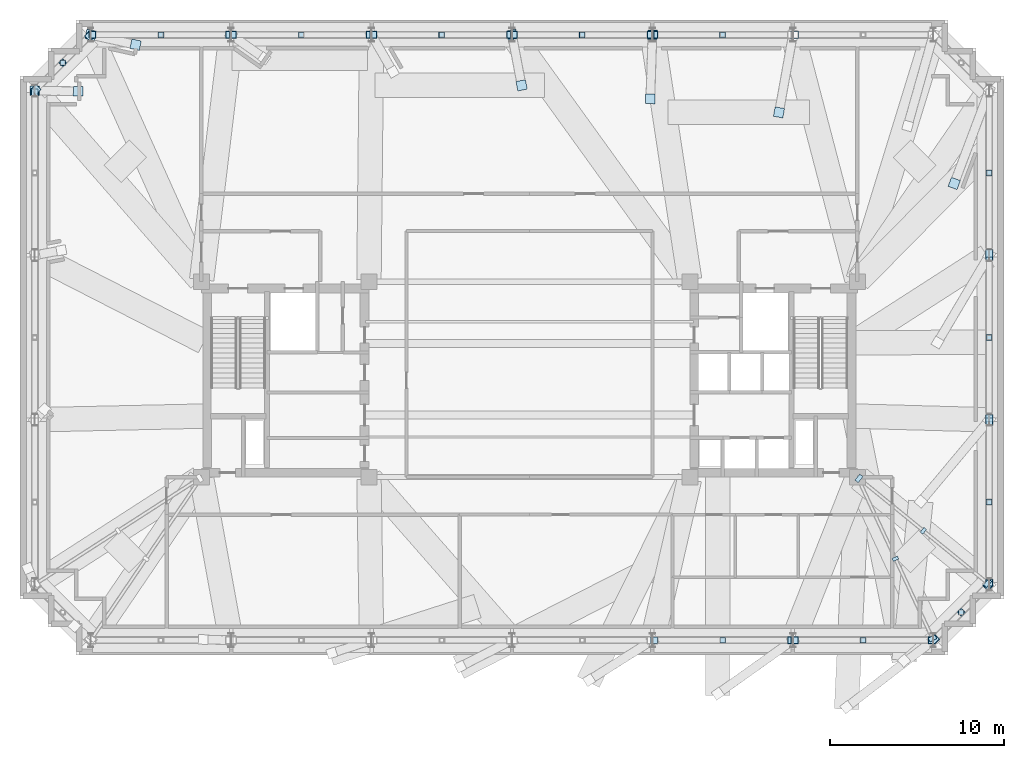
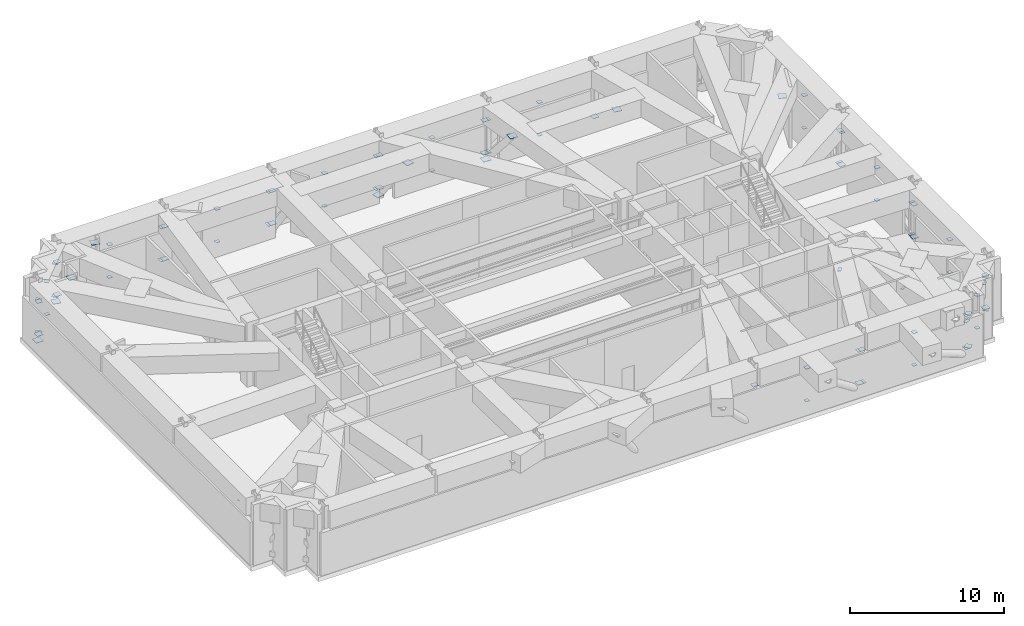
# One storey, part 12 of 18: 85 plates.
"""IFC4 building model written with IfcOpenShell, lengths in metres."""

from ifc_helpers import new_model, si_unit, direction, frame, origin, origin_2d, place, context, subcontext, project, spatial, rectangle, extrude, material, layer, layer_set, type_object, element, save


model = new_model("IFC4")

# Units and contexts
model_context = context("Model", 3, precision=1e-05, world=origin(), true_north=direction((0.0, 1.0)))
body_context = subcontext(model_context, "Body", "Model", "MODEL_VIEW")
ifc_project = project(units=[si_unit("LENGTHUNIT", "METRE"), si_unit("AREAUNIT", "SQUARE_METRE"), si_unit("VOLUMEUNIT", "CUBIC_METRE"), si_unit("PLANEANGLEUNIT", "RADIAN"), si_unit("MASSUNIT", "GRAM", prefix="KILO")], contexts=[model_context])

# Site, building, storey
site_placement = place(None, origin())
site = spatial("IfcSite", under=ifc_project, at=site_placement, CompositionType="ELEMENT")
building_placement = place(site_placement, origin())
building = spatial("IfcBuilding", under=site, at=building_placement, Name="Qobustan Lattice House", CompositionType="ELEMENT")
storey_placement = place(building_placement, frame((0.0, 0.0, 174.550048828125)))
storey = spatial("IfcBuildingStorey", under=building, at=storey_placement, Name="L49", CompositionType="ELEMENT", Elevation=174.550048828125)

# Plates
ifc_material = material(Name="Steel S355", Category="steel")
ifc_layer = layer(ifc_material, 0.030029296875)
ifc_layer_set = layer_set([ifc_layer], Name="Steel S355")
plate_type = type_object("IfcPlateType", Name="PLT-CAP-25", PredefinedType="SHEET", material=ifc_layer_set)
plate_1_placement = place(storey_placement, frame((15.0048828125, -14.949951171875, 0.53515625), z_axis=(0.0, 0.0, 1.0), x_axis=(1.0, 0.0, 0.0)))
element("IfcPlate", 1, at=plate_1_placement, inside=storey, type_object=plate_type, Name="L49 TT3 belt truss bottom chord S5-S6 end cap plate 2", PredefinedType="SHEET", context=body_context, shape_type="SweptSolid", body=[
    extrude(rectangle(XDim=0.43994140625, YDim=0.43994140625, at=origin_2d()), origin(), (0.0, 0.0, 1.0), 0.030029296875),
])
for number, where, z_axis, x_axis, name in (
    (2, (7.14501953125, -14.949951171875, 3.125), (0.0, 0.0, 1.0), (1.0, 0.0, 0.0), "L49 TT3 belt truss top chord S5-S6 end cap plate 1"),
    (3, (15.0048828125, -14.949951171875, 3.125), (0.0, 0.0, 1.0), (1.0, 0.0, 0.0), "L49 TT3 belt truss top chord S5-S6 end cap plate 2"),
):
    element("IfcPlate", number, at=place(storey_placement, frame(where, z_axis=z_axis, x_axis=x_axis)), inside=storey, type_object=plate_type, Name=name, PredefinedType="SHEET", context=body_context, shape_type="SweptSolid", body=[
        extrude(rectangle(XDim=0.389892578125, YDim=0.389892578125, at=origin_2d()), origin(), (0.0, 0.0, 1.0), 0.030029296875),
    ])
plate_2_placement = place(storey_placement, frame((11.0791015625, -14.949951171875, 3.1279296875), z_axis=(0.0, 0.0, 1.0), x_axis=(1.0, 0.0, 0.0)))
element("IfcPlate", 4, at=plate_2_placement, inside=storey, type_object=plate_type, Name="L49 TT3 belt truss web diagonal S5-S6 A end cap plate 2", PredefinedType="SHEET", context=body_context, shape_type="SweptSolid", body=[
    extrude(rectangle(XDim=0.340087890625, YDim=0.340087890625, at=origin_2d()), origin(), (0.0, 0.0, 1.0), 0.030029296875),
])
plate_3_placement = place(storey_placement, frame((11.074951171875, -14.949951171875, 0.52978515625), z_axis=(0.0, 0.0, 1.0), x_axis=(1.0, 0.0, 0.0)))
element("IfcPlate", 5, at=plate_3_placement, inside=storey, type_object=plate_type, Name="L49 TT3 belt truss vertical post S5-S6 end cap plate 1", PredefinedType="SHEET", context=body_context, shape_type="SweptSolid", body=[
    extrude(rectangle(XDim=0.2900390625, YDim=0.2900390625, at=origin_2d()), origin(), (0.0, 0.0, 1.0), 0.030029296875),
])
for number, where, z_axis, x_axis, name in (
    (6, (15.195068359375, -14.949951171875, 0.53515625), (0.0, 0.0, 1.0), (1.0, 0.0, 0.0), "L49 TT3 belt truss bottom chord S6-S7 end cap plate 1"),
    (7, (23.054931640625, -14.949951171875, 0.53515625), (0.0, 0.0, 1.0), (1.0, 0.0, 0.0), "L49 TT3 belt truss bottom chord S6-S7 end cap plate 2"),
):
    element("IfcPlate", number, at=place(storey_placement, frame(where, z_axis=z_axis, x_axis=x_axis)), inside=storey, type_object=plate_type, Name=name, PredefinedType="SHEET", context=body_context, shape_type="SweptSolid", body=[
        extrude(rectangle(XDim=0.43994140625, YDim=0.43994140625, at=origin_2d()), origin(), (0.0, 0.0, 1.0), 0.030029296875),
    ])
for number, where, z_axis, x_axis, name in (
    (8, (15.195068359375, -14.949951171875, 3.125), (0.0, 0.0, 1.0), (1.0, 0.0, 0.0), "L49 TT3 belt truss top chord S6-S7 end cap plate 1"),
    (9, (23.054931640625, -14.949951171875, 3.125), (0.0, 0.0, 1.0), (1.0, 0.0, 0.0), "L49 TT3 belt truss top chord S6-S7 end cap plate 2"),
):
    element("IfcPlate", number, at=place(storey_placement, frame(where, z_axis=z_axis, x_axis=x_axis)), inside=storey, type_object=plate_type, Name=name, PredefinedType="SHEET", context=body_context, shape_type="SweptSolid", body=[
        extrude(rectangle(XDim=0.389892578125, YDim=0.389892578125, at=origin_2d()), origin(), (0.0, 0.0, 1.0), 0.030029296875),
    ])
plate_4_placement = place(storey_placement, frame((19.129150390625, -14.949951171875, 3.1279296875), z_axis=(0.0, 0.0, 1.0), x_axis=(1.0, 0.0, 0.0)))
element("IfcPlate", 10, at=plate_4_placement, inside=storey, type_object=plate_type, Name="L49 TT3 belt truss web diagonal S6-S7 A end cap plate 2", PredefinedType="SHEET", context=body_context, shape_type="SweptSolid", body=[
    extrude(rectangle(XDim=0.340087890625, YDim=0.340087890625, at=origin_2d()), origin(), (0.0, 0.0, 1.0), 0.030029296875),
])
plate_5_placement = place(storey_placement, frame((19.125, -14.949951171875, 0.52978515625), z_axis=(0.0, 0.0, 1.0), x_axis=(1.0, 0.0, 0.0)))
element("IfcPlate", 11, at=plate_5_placement, inside=storey, type_object=plate_type, Name="L49 TT3 belt truss vertical post S6-S7 end cap plate 1", PredefinedType="SHEET", context=body_context, shape_type="SweptSolid", body=[
    extrude(rectangle(XDim=0.2900390625, YDim=0.2900390625, at=origin_2d()), origin(), (0.0, 0.0, 1.0), 0.030029296875),
])
for number, where, z_axis, x_axis, name in (
    (12, (23.21728515625, -14.8828125, 0.53515625), (0.0, 0.0, 1.0), (0.707106781187, 0.707106781187, 0.0), "L49 TT3 belt truss bottom chord S7-E1 end cap plate 1"),
    (13, (26.28271484375, -11.817138671875, 0.53515625), (0.0, 0.0, 1.0), (0.707106781187, 0.707106781187, 0.0), "L49 TT3 belt truss bottom chord S7-E1 end cap plate 2"),
):
    element("IfcPlate", number, at=place(storey_placement, frame(where, z_axis=z_axis, x_axis=x_axis)), inside=storey, type_object=plate_type, Name=name, PredefinedType="SHEET", context=body_context, shape_type="SweptSolid", body=[
        extrude(rectangle(XDim=0.43994140625, YDim=0.43994140625, at=origin_2d()), origin(), (0.0, 0.0, 1.0), 0.030029296875),
    ])
for number, where, z_axis, x_axis, name in (
    (14, (23.21728515625, -14.8828125, 3.125), (0.0, 0.0, 1.0), (0.707106781187, 0.707106781187, 0.0), "L49 TT3 belt truss top chord S7-E1 end cap plate 1"),
    (15, (26.28271484375, -11.817138671875, 3.125), (0.0, 0.0, 1.0), (0.707106781187, 0.707106781187, 0.0), "L49 TT3 belt truss top chord S7-E1 end cap plate 2"),
):
    element("IfcPlate", number, at=place(storey_placement, frame(where, z_axis=z_axis, x_axis=x_axis)), inside=storey, type_object=plate_type, Name=name, PredefinedType="SHEET", context=body_context, shape_type="SweptSolid", body=[
        extrude(rectangle(XDim=0.389892578125, YDim=0.389892578125, at=origin_2d()), origin(), (0.0, 0.0, 1.0), 0.030029296875),
    ])
plate_6_placement = place(storey_placement, frame((24.752197265625, -13.34765625, 3.12890625), z_axis=(0.0, 0.0, 1.0), x_axis=(0.707106781187, 0.707106781187, 0.0)))
element("IfcPlate", 16, at=plate_6_placement, inside=storey, type_object=plate_type, Name="L49 TT3 belt truss web diagonal S7-E1 A end cap plate 2", PredefinedType="SHEET", context=body_context, shape_type="SweptSolid", body=[
    extrude(rectangle(XDim=0.340087890625, YDim=0.340087890625, at=origin_2d()), origin(), (0.0, 0.0, 1.0), 0.030029296875),
])
plate_7_placement = place(storey_placement, frame((24.75, -13.35009765625, 0.52978515625), z_axis=(0.0, 0.0, 1.0), x_axis=(1.0, 0.0, 0.0)))
element("IfcPlate", 17, at=plate_7_placement, inside=storey, type_object=plate_type, Name="L49 TT3 belt truss vertical post S7-E1 end cap plate 1", PredefinedType="SHEET", context=body_context, shape_type="SweptSolid", body=[
    extrude(rectangle(XDim=0.2900390625, YDim=0.2900390625, at=origin_2d()), origin(), (0.0, 0.0, 1.0), 0.030029296875),
])
for number, where, z_axis, x_axis, name in (
    (18, (26.35009765625, -11.655029296875, 0.53515625), (0.0, 0.0, 1.0), (0.0, 1.0, 0.0), "L49 TT3 belt truss bottom chord E1-E2 end cap plate 1"),
    (19, (26.35009765625, -2.41162109375, 0.53515625), (0.0, 0.0, 1.0), (0.0, 1.0, 0.0), "L49 TT3 belt truss bottom chord E1-E2 end cap plate 2"),
):
    element("IfcPlate", number, at=place(storey_placement, frame(where, z_axis=z_axis, x_axis=x_axis)), inside=storey, type_object=plate_type, Name=name, PredefinedType="SHEET", context=body_context, shape_type="SweptSolid", body=[
        extrude(rectangle(XDim=0.43994140625, YDim=0.43994140625, at=origin_2d()), origin(), (0.0, 0.0, 1.0), 0.030029296875),
    ])
for number, where, z_axis, x_axis, name in (
    (20, (26.35009765625, -11.655029296875, 3.125), (0.0, 0.0, 1.0), (0.0, 1.0, 0.0), "L49 TT3 belt truss top chord E1-E2 end cap plate 1"),
    (21, (26.35009765625, -2.41162109375, 3.125), (0.0, 0.0, 1.0), (0.0, 1.0, 0.0), "L49 TT3 belt truss top chord E1-E2 end cap plate 2"),
):
    element("IfcPlate", number, at=place(storey_placement, frame(where, z_axis=z_axis, x_axis=x_axis)), inside=storey, type_object=plate_type, Name=name, PredefinedType="SHEET", context=body_context, shape_type="SweptSolid", body=[
        extrude(rectangle(XDim=0.389892578125, YDim=0.389892578125, at=origin_2d()), origin(), (0.0, 0.0, 1.0), 0.030029296875),
    ])
plate_8_placement = place(storey_placement, frame((26.35009765625, -7.029052734375, 3.12744140625), z_axis=(0.0, 0.0, 1.0), x_axis=(0.0, 1.0, 0.0)))
element("IfcPlate", 22, at=plate_8_placement, inside=storey, type_object=plate_type, Name="L49 TT3 belt truss web diagonal E1-E2 A end cap plate 2", PredefinedType="SHEET", context=body_context, shape_type="SweptSolid", body=[
    extrude(rectangle(XDim=0.340087890625, YDim=0.340087890625, at=origin_2d()), origin(), (0.0, 0.0, 1.0), 0.030029296875),
])
plate_9_placement = place(storey_placement, frame((26.35009765625, -7.033447265625, 0.52978515625), z_axis=(0.0, 0.0, 1.0), x_axis=(1.0, 0.0, 0.0)))
element("IfcPlate", 23, at=plate_9_placement, inside=storey, type_object=plate_type, Name="L49 TT3 belt truss vertical post E1-E2 end cap plate 1", PredefinedType="SHEET", context=body_context, shape_type="SweptSolid", body=[
    extrude(rectangle(XDim=0.2900390625, YDim=0.2900390625, at=origin_2d()), origin(), (0.0, 0.0, 1.0), 0.030029296875),
])
for number, where, z_axis, x_axis, name in (
    (24, (26.35009765625, -2.2216796875, 0.53515625), (0.0, 0.0, 1.0), (0.0, 1.0, 0.0), "L49 TT3 belt truss bottom chord E2-E3 end cap plate 1"),
    (25, (26.35009765625, 7.021728515625, 0.53515625), (0.0, 0.0, 1.0), (0.0, 1.0, 0.0), "L49 TT3 belt truss bottom chord E2-E3 end cap plate 2"),
):
    element("IfcPlate", number, at=place(storey_placement, frame(where, z_axis=z_axis, x_axis=x_axis)), inside=storey, type_object=plate_type, Name=name, PredefinedType="SHEET", context=body_context, shape_type="SweptSolid", body=[
        extrude(rectangle(XDim=0.43994140625, YDim=0.43994140625, at=origin_2d()), origin(), (0.0, 0.0, 1.0), 0.030029296875),
    ])
for number, where, z_axis, x_axis, name in (
    (26, (26.35009765625, -2.2216796875, 3.125), (0.0, 0.0, 1.0), (0.0, 1.0, 0.0), "L49 TT3 belt truss top chord E2-E3 end cap plate 1"),
    (27, (26.35009765625, 7.021728515625, 3.125), (0.0, 0.0, 1.0), (0.0, 1.0, 0.0), "L49 TT3 belt truss top chord E2-E3 end cap plate 2"),
):
    element("IfcPlate", number, at=place(storey_placement, frame(where, z_axis=z_axis, x_axis=x_axis)), inside=storey, type_object=plate_type, Name=name, PredefinedType="SHEET", context=body_context, shape_type="SweptSolid", body=[
        extrude(rectangle(XDim=0.389892578125, YDim=0.389892578125, at=origin_2d()), origin(), (0.0, 0.0, 1.0), 0.030029296875),
    ])
plate_10_placement = place(storey_placement, frame((26.35009765625, 2.404296875, 3.12744140625), z_axis=(0.0, 0.0, 1.0), x_axis=(0.0, 1.0, 0.0)))
element("IfcPlate", 28, at=plate_10_placement, inside=storey, type_object=plate_type, Name="L49 TT3 belt truss web diagonal E2-E3 A end cap plate 2", PredefinedType="SHEET", context=body_context, shape_type="SweptSolid", body=[
    extrude(rectangle(XDim=0.340087890625, YDim=0.340087890625, at=origin_2d()), origin(), (0.0, 0.0, 1.0), 0.030029296875),
])
plate_11_placement = place(storey_placement, frame((26.35009765625, 2.39990234375, 0.52978515625), z_axis=(0.0, 0.0, 1.0), x_axis=(1.0, 0.0, 0.0)))
element("IfcPlate", 29, at=plate_11_placement, inside=storey, type_object=plate_type, Name="L49 TT3 belt truss vertical post E2-E3 end cap plate 1", PredefinedType="SHEET", context=body_context, shape_type="SweptSolid", body=[
    extrude(rectangle(XDim=0.2900390625, YDim=0.2900390625, at=origin_2d()), origin(), (0.0, 0.0, 1.0), 0.030029296875),
])
plate_12_placement = place(storey_placement, frame((26.35009765625, 7.211669921875, 0.53515625), z_axis=(0.0, 0.0, 1.0), x_axis=(0.0, 1.0, 0.0)))
element("IfcPlate", 30, at=plate_12_placement, inside=storey, type_object=plate_type, Name="L49 TT3 belt truss bottom chord E3-E4 end cap plate 1", PredefinedType="SHEET", context=body_context, shape_type="SweptSolid", body=[
    extrude(rectangle(XDim=0.43994140625, YDim=0.43994140625, at=origin_2d()), origin(), (0.0, 0.0, 1.0), 0.030029296875),
])
plate_13_placement = place(storey_placement, frame((26.35009765625, 7.211669921875, 3.125), z_axis=(0.0, 0.0, 1.0), x_axis=(0.0, 1.0, 0.0)))
element("IfcPlate", 31, at=plate_13_placement, inside=storey, type_object=plate_type, Name="L49 TT3 belt truss top chord E3-E4 end cap plate 1", PredefinedType="SHEET", context=body_context, shape_type="SweptSolid", body=[
    extrude(rectangle(XDim=0.389892578125, YDim=0.389892578125, at=origin_2d()), origin(), (0.0, 0.0, 1.0), 0.030029296875),
])
plate_14_placement = place(storey_placement, frame((26.35009765625, 11.837646484375, 3.12744140625), z_axis=(0.0, 0.0, 1.0), x_axis=(0.0, 1.0, 0.0)))
element("IfcPlate", 32, at=plate_14_placement, inside=storey, type_object=plate_type, Name="L49 TT3 belt truss web diagonal E3-E4 A end cap plate 2", PredefinedType="SHEET", context=body_context, shape_type="SweptSolid", body=[
    extrude(rectangle(XDim=0.340087890625, YDim=0.340087890625, at=origin_2d()), origin(), (0.0, 0.0, 1.0), 0.030029296875),
])
plate_15_placement = place(storey_placement, frame((26.35009765625, 11.833251953125, 0.52978515625), z_axis=(0.0, 0.0, 1.0), x_axis=(1.0, 0.0, 0.0)))
element("IfcPlate", 33, at=plate_15_placement, inside=storey, type_object=plate_type, Name="L49 TT3 belt truss vertical post E3-E4 end cap plate 1", PredefinedType="SHEET", context=body_context, shape_type="SweptSolid", body=[
    extrude(rectangle(XDim=0.2900390625, YDim=0.2900390625, at=origin_2d()), origin(), (0.0, 0.0, 1.0), 0.030029296875),
])
for number, where, z_axis, x_axis, name in (
    (34, (15.195068359375, 19.75, 0.53515625), (0.0, 0.0, 1.0), (-1.0, 0.0, 0.0), "L49 TT3 belt truss bottom chord N1-N2 end cap plate 2"),
    (35, (7.14501953125, 19.75, 0.53515625), (0.0, 0.0, 1.0), (-1.0, 0.0, 0.0), "L49 TT3 belt truss bottom chord N2-N3 end cap plate 2"),
):
    element("IfcPlate", number, at=place(storey_placement, frame(where, z_axis=z_axis, x_axis=x_axis)), inside=storey, type_object=plate_type, Name=name, PredefinedType="SHEET", context=body_context, shape_type="SweptSolid", body=[
        extrude(rectangle(XDim=0.43994140625, YDim=0.43994140625, at=origin_2d()), origin(), (0.0, 0.0, 1.0), 0.030029296875),
    ])
plate_16_placement = place(storey_placement, frame((7.14501953125, 19.75, 3.125), z_axis=(0.0, 0.0, 1.0), x_axis=(-1.0, 0.0, 0.0)))
element("IfcPlate", 36, at=plate_16_placement, inside=storey, type_object=plate_type, Name="L49 TT3 belt truss top chord N2-N3 end cap plate 2", PredefinedType="SHEET", context=body_context, shape_type="SweptSolid", body=[
    extrude(rectangle(XDim=0.389892578125, YDim=0.389892578125, at=origin_2d()), origin(), (0.0, 0.0, 1.0), 0.030029296875),
])
plate_17_placement = place(storey_placement, frame((11.07080078125, 19.75, 3.1279296875), z_axis=(0.0, 0.0, 1.0), x_axis=(-1.0, 0.0, 0.0)))
element("IfcPlate", 37, at=plate_17_placement, inside=storey, type_object=plate_type, Name="L49 TT3 belt truss web diagonal N2-N3 A end cap plate 2", PredefinedType="SHEET", context=body_context, shape_type="SweptSolid", body=[
    extrude(rectangle(XDim=0.340087890625, YDim=0.340087890625, at=origin_2d()), origin(), (0.0, 0.0, 1.0), 0.030029296875),
])
plate_18_placement = place(storey_placement, frame((11.074951171875, 19.75, 0.52978515625), z_axis=(0.0, 0.0, 1.0), x_axis=(1.0, 0.0, 0.0)))
element("IfcPlate", 38, at=plate_18_placement, inside=storey, type_object=plate_type, Name="L49 TT3 belt truss vertical post N2-N3 end cap plate 1", PredefinedType="SHEET", context=body_context, shape_type="SweptSolid", body=[
    extrude(rectangle(XDim=0.2900390625, YDim=0.2900390625, at=origin_2d()), origin(), (0.0, 0.0, 1.0), 0.030029296875),
])
for number, where, z_axis, x_axis, name in (
    (39, (6.955078125, 19.75, 0.53515625), (0.0, 0.0, 1.0), (-1.0, 0.0, 0.0), "L49 TT3 belt truss bottom chord N3-N4 end cap plate 1"),
    (40, (-0.905029296875, 19.75, 0.53515625), (0.0, 0.0, 1.0), (-1.0, 0.0, 0.0), "L49 TT3 belt truss bottom chord N3-N4 end cap plate 2"),
):
    element("IfcPlate", number, at=place(storey_placement, frame(where, z_axis=z_axis, x_axis=x_axis)), inside=storey, type_object=plate_type, Name=name, PredefinedType="SHEET", context=body_context, shape_type="SweptSolid", body=[
        extrude(rectangle(XDim=0.43994140625, YDim=0.43994140625, at=origin_2d()), origin(), (0.0, 0.0, 1.0), 0.030029296875),
    ])
for number, where, z_axis, x_axis, name in (
    (41, (6.955078125, 19.75, 3.125), (0.0, 0.0, 1.0), (-1.0, 0.0, 0.0), "L49 TT3 belt truss top chord N3-N4 end cap plate 1"),
    (42, (-0.905029296875, 19.75, 3.125), (0.0, 0.0, 1.0), (-1.0, 0.0, 0.0), "L49 TT3 belt truss top chord N3-N4 end cap plate 2"),
):
    element("IfcPlate", number, at=place(storey_placement, frame(where, z_axis=z_axis, x_axis=x_axis)), inside=storey, type_object=plate_type, Name=name, PredefinedType="SHEET", context=body_context, shape_type="SweptSolid", body=[
        extrude(rectangle(XDim=0.389892578125, YDim=0.389892578125, at=origin_2d()), origin(), (0.0, 0.0, 1.0), 0.030029296875),
    ])
plate_19_placement = place(storey_placement, frame((3.020751953125, 19.75, 3.1279296875), z_axis=(0.0, 0.0, 1.0), x_axis=(-1.0, 0.0, 0.0)))
element("IfcPlate", 43, at=plate_19_placement, inside=storey, type_object=plate_type, Name="L49 TT3 belt truss web diagonal N3-N4 A end cap plate 2", PredefinedType="SHEET", context=body_context, shape_type="SweptSolid", body=[
    extrude(rectangle(XDim=0.340087890625, YDim=0.340087890625, at=origin_2d()), origin(), (0.0, 0.0, 1.0), 0.030029296875),
])
plate_20_placement = place(storey_placement, frame((3.02490234375, 19.75, 0.52978515625), z_axis=(0.0, 0.0, 1.0), x_axis=(1.0, 0.0, 0.0)))
element("IfcPlate", 44, at=plate_20_placement, inside=storey, type_object=plate_type, Name="L49 TT3 belt truss vertical post N3-N4 end cap plate 1", PredefinedType="SHEET", context=body_context, shape_type="SweptSolid", body=[
    extrude(rectangle(XDim=0.2900390625, YDim=0.2900390625, at=origin_2d()), origin(), (0.0, 0.0, 1.0), 0.030029296875),
])
for number, where, z_axis, x_axis, name in (
    (45, (-1.094970703125, 19.75, 0.53515625), (0.0, 0.0, 1.0), (-1.0, 0.0, 0.0), "L49 TT3 belt truss bottom chord N4-N5 end cap plate 1"),
    (46, (-8.955078125, 19.75, 0.53515625), (0.0, 0.0, 1.0), (-1.0, 0.0, 0.0), "L49 TT3 belt truss bottom chord N4-N5 end cap plate 2"),
):
    element("IfcPlate", number, at=place(storey_placement, frame(where, z_axis=z_axis, x_axis=x_axis)), inside=storey, type_object=plate_type, Name=name, PredefinedType="SHEET", context=body_context, shape_type="SweptSolid", body=[
        extrude(rectangle(XDim=0.43994140625, YDim=0.43994140625, at=origin_2d()), origin(), (0.0, 0.0, 1.0), 0.030029296875),
    ])
for number, where, z_axis, x_axis, name in (
    (47, (-1.094970703125, 19.75, 3.125), (0.0, 0.0, 1.0), (-1.0, 0.0, 0.0), "L49 TT3 belt truss top chord N4-N5 end cap plate 1"),
    (48, (-8.955078125, 19.75, 3.125), (0.0, 0.0, 1.0), (-1.0, 0.0, 0.0), "L49 TT3 belt truss top chord N4-N5 end cap plate 2"),
):
    element("IfcPlate", number, at=place(storey_placement, frame(where, z_axis=z_axis, x_axis=x_axis)), inside=storey, type_object=plate_type, Name=name, PredefinedType="SHEET", context=body_context, shape_type="SweptSolid", body=[
        extrude(rectangle(XDim=0.389892578125, YDim=0.389892578125, at=origin_2d()), origin(), (0.0, 0.0, 1.0), 0.030029296875),
    ])
plate_21_placement = place(storey_placement, frame((-5.029296875, 19.75, 3.1279296875), z_axis=(0.0, 0.0, 1.0), x_axis=(-1.0, 0.0, 0.0)))
element("IfcPlate", 49, at=plate_21_placement, inside=storey, type_object=plate_type, Name="L49 TT3 belt truss web diagonal N4-N5 A end cap plate 2", PredefinedType="SHEET", context=body_context, shape_type="SweptSolid", body=[
    extrude(rectangle(XDim=0.340087890625, YDim=0.340087890625, at=origin_2d()), origin(), (0.0, 0.0, 1.0), 0.030029296875),
])
plate_22_placement = place(storey_placement, frame((-5.02490234375, 19.75, 0.52978515625), z_axis=(0.0, 0.0, 1.0), x_axis=(1.0, 0.0, 0.0)))
element("IfcPlate", 50, at=plate_22_placement, inside=storey, type_object=plate_type, Name="L49 TT3 belt truss vertical post N4-N5 end cap plate 1", PredefinedType="SHEET", context=body_context, shape_type="SweptSolid", body=[
    extrude(rectangle(XDim=0.2900390625, YDim=0.2900390625, at=origin_2d()), origin(), (0.0, 0.0, 1.0), 0.030029296875),
])
for number, where, z_axis, x_axis, name in (
    (51, (-9.14501953125, 19.75, 0.53515625), (0.0, 0.0, 1.0), (-1.0, 0.0, 0.0), "L49 TT3 belt truss bottom chord N5-N6 end cap plate 1"),
    (52, (-17.0048828125, 19.75, 0.53515625), (0.0, 0.0, 1.0), (-1.0, 0.0, 0.0), "L49 TT3 belt truss bottom chord N5-N6 end cap plate 2"),
):
    element("IfcPlate", number, at=place(storey_placement, frame(where, z_axis=z_axis, x_axis=x_axis)), inside=storey, type_object=plate_type, Name=name, PredefinedType="SHEET", context=body_context, shape_type="SweptSolid", body=[
        extrude(rectangle(XDim=0.43994140625, YDim=0.43994140625, at=origin_2d()), origin(), (0.0, 0.0, 1.0), 0.030029296875),
    ])
for number, where, z_axis, x_axis, name in (
    (53, (-9.14501953125, 19.75, 3.125), (0.0, 0.0, 1.0), (-1.0, 0.0, 0.0), "L49 TT3 belt truss top chord N5-N6 end cap plate 1"),
    (54, (-17.0048828125, 19.75, 3.125), (0.0, 0.0, 1.0), (-1.0, 0.0, 0.0), "L49 TT3 belt truss top chord N5-N6 end cap plate 2"),
):
    element("IfcPlate", number, at=place(storey_placement, frame(where, z_axis=z_axis, x_axis=x_axis)), inside=storey, type_object=plate_type, Name=name, PredefinedType="SHEET", context=body_context, shape_type="SweptSolid", body=[
        extrude(rectangle(XDim=0.389892578125, YDim=0.389892578125, at=origin_2d()), origin(), (0.0, 0.0, 1.0), 0.030029296875),
    ])
plate_23_placement = place(storey_placement, frame((-13.0791015625, 19.75, 3.1279296875), z_axis=(0.0, 0.0, 1.0), x_axis=(-1.0, 0.0, 0.0)))
element("IfcPlate", 55, at=plate_23_placement, inside=storey, type_object=plate_type, Name="L49 TT3 belt truss web diagonal N5-N6 A end cap plate 2", PredefinedType="SHEET", context=body_context, shape_type="SweptSolid", body=[
    extrude(rectangle(XDim=0.340087890625, YDim=0.340087890625, at=origin_2d()), origin(), (0.0, 0.0, 1.0), 0.030029296875),
])
plate_24_placement = place(storey_placement, frame((-13.074951171875, 19.75, 0.52978515625), z_axis=(0.0, 0.0, 1.0), x_axis=(1.0, 0.0, 0.0)))
element("IfcPlate", 56, at=plate_24_placement, inside=storey, type_object=plate_type, Name="L49 TT3 belt truss vertical post N5-N6 end cap plate 1", PredefinedType="SHEET", context=body_context, shape_type="SweptSolid", body=[
    extrude(rectangle(XDim=0.2900390625, YDim=0.2900390625, at=origin_2d()), origin(), (0.0, 0.0, 1.0), 0.030029296875),
])
for number, where, z_axis, x_axis, name in (
    (57, (-17.195068359375, 19.75, 0.53515625), (0.0, 0.0, 1.0), (-1.0, 0.0, 0.0), "L49 TT3 belt truss bottom chord N6-N7 end cap plate 1"),
    (58, (-25.054931640625, 19.75, 0.53515625), (0.0, 0.0, 1.0), (-1.0, 0.0, 0.0), "L49 TT3 belt truss bottom chord N6-N7 end cap plate 2"),
):
    element("IfcPlate", number, at=place(storey_placement, frame(where, z_axis=z_axis, x_axis=x_axis)), inside=storey, type_object=plate_type, Name=name, PredefinedType="SHEET", context=body_context, shape_type="SweptSolid", body=[
        extrude(rectangle(XDim=0.43994140625, YDim=0.43994140625, at=origin_2d()), origin(), (0.0, 0.0, 1.0), 0.030029296875),
    ])
for number, where, z_axis, x_axis, name in (
    (59, (-17.195068359375, 19.75, 3.125), (0.0, 0.0, 1.0), (-1.0, 0.0, 0.0), "L49 TT3 belt truss top chord N6-N7 end cap plate 1"),
    (60, (-25.054931640625, 19.75, 3.125), (0.0, 0.0, 1.0), (-1.0, 0.0, 0.0), "L49 TT3 belt truss top chord N6-N7 end cap plate 2"),
):
    element("IfcPlate", number, at=place(storey_placement, frame(where, z_axis=z_axis, x_axis=x_axis)), inside=storey, type_object=plate_type, Name=name, PredefinedType="SHEET", context=body_context, shape_type="SweptSolid", body=[
        extrude(rectangle(XDim=0.389892578125, YDim=0.389892578125, at=origin_2d()), origin(), (0.0, 0.0, 1.0), 0.030029296875),
    ])
plate_25_placement = place(storey_placement, frame((-21.129150390625, 19.75, 3.1279296875), z_axis=(0.0, 0.0, 1.0), x_axis=(-1.0, 0.0, 0.0)))
element("IfcPlate", 61, at=plate_25_placement, inside=storey, type_object=plate_type, Name="L49 TT3 belt truss web diagonal N6-N7 A end cap plate 2", PredefinedType="SHEET", context=body_context, shape_type="SweptSolid", body=[
    extrude(rectangle(XDim=0.340087890625, YDim=0.340087890625, at=origin_2d()), origin(), (0.0, 0.0, 1.0), 0.030029296875),
])
plate_26_placement = place(storey_placement, frame((-21.125, 19.75, 0.52978515625), z_axis=(0.0, 0.0, 1.0), x_axis=(1.0, 0.0, 0.0)))
element("IfcPlate", 62, at=plate_26_placement, inside=storey, type_object=plate_type, Name="L49 TT3 belt truss vertical post N6-N7 end cap plate 1", PredefinedType="SHEET", context=body_context, shape_type="SweptSolid", body=[
    extrude(rectangle(XDim=0.2900390625, YDim=0.2900390625, at=origin_2d()), origin(), (0.0, 0.0, 1.0), 0.030029296875),
])
for number, where, z_axis, x_axis, name in (
    (63, (-25.21728515625, 19.682861328125, 0.53515625), (0.0, 0.0, 1.0), (-0.707106781187, -0.707106781187, 0.0), "L49 TT3 belt truss bottom chord N7-W1 end cap plate 1"),
    (64, (-28.28271484375, 16.6171875, 0.53515625), (0.0, 0.0, 1.0), (-0.707106781187, -0.707106781187, 0.0), "L49 TT3 belt truss bottom chord N7-W1 end cap plate 2"),
):
    element("IfcPlate", number, at=place(storey_placement, frame(where, z_axis=z_axis, x_axis=x_axis)), inside=storey, type_object=plate_type, Name=name, PredefinedType="SHEET", context=body_context, shape_type="SweptSolid", body=[
        extrude(rectangle(XDim=0.43994140625, YDim=0.43994140625, at=origin_2d()), origin(), (0.0, 0.0, 1.0), 0.030029296875),
    ])
for number, where, z_axis, x_axis, name in (
    (65, (-25.21728515625, 19.682861328125, 3.125), (0.0, 0.0, 1.0), (-0.707106781187, -0.707106781187, 0.0), "L49 TT3 belt truss top chord N7-W1 end cap plate 1"),
    (66, (-28.28271484375, 16.6171875, 3.125), (0.0, 0.0, 1.0), (-0.707106781187, -0.707106781187, 0.0), "L49 TT3 belt truss top chord N7-W1 end cap plate 2"),
):
    element("IfcPlate", number, at=place(storey_placement, frame(where, z_axis=z_axis, x_axis=x_axis)), inside=storey, type_object=plate_type, Name=name, PredefinedType="SHEET", context=body_context, shape_type="SweptSolid", body=[
        extrude(rectangle(XDim=0.389892578125, YDim=0.389892578125, at=origin_2d()), origin(), (0.0, 0.0, 1.0), 0.030029296875),
    ])
plate_27_placement = place(storey_placement, frame((-26.752197265625, 18.147705078125, 3.12890625), z_axis=(0.0, 0.0, 1.0), x_axis=(-0.707106781187, -0.707106781187, 0.0)))
element("IfcPlate", 67, at=plate_27_placement, inside=storey, type_object=plate_type, Name="L49 TT3 belt truss web diagonal N7-W1 A end cap plate 2", PredefinedType="SHEET", context=body_context, shape_type="SweptSolid", body=[
    extrude(rectangle(XDim=0.340087890625, YDim=0.340087890625, at=origin_2d()), origin(), (0.0, 0.0, 1.0), 0.030029296875),
])
plate_28_placement = place(storey_placement, frame((-26.75, 18.14990234375, 0.52978515625), z_axis=(0.0, 0.0, 1.0), x_axis=(1.0, 0.0, 0.0)))
element("IfcPlate", 68, at=plate_28_placement, inside=storey, type_object=plate_type, Name="L49 TT3 belt truss vertical post N7-W1 end cap plate 1", PredefinedType="SHEET", context=body_context, shape_type="SweptSolid", body=[
    extrude(rectangle(XDim=0.2900390625, YDim=0.2900390625, at=origin_2d()), origin(), (0.0, 0.0, 1.0), 0.030029296875),
])
plate_29_placement = place(storey_placement, frame((-28.35009765625, 16.455078125, 0.53515625), z_axis=(0.0, 0.0, 1.0), x_axis=(0.0, -1.0, 0.0)))
element("IfcPlate", 69, at=plate_29_placement, inside=storey, type_object=plate_type, Name="L49 TT3 belt truss bottom chord W1-W2 end cap plate 1", PredefinedType="SHEET", context=body_context, shape_type="SweptSolid", body=[
    extrude(rectangle(XDim=0.43994140625, YDim=0.43994140625, at=origin_2d()), origin(), (0.0, 0.0, 1.0), 0.030029296875),
])
plate_30_placement = place(storey_placement, frame((-28.35009765625, 16.455078125, 3.125), z_axis=(0.0, 0.0, 1.0), x_axis=(0.0, -1.0, 0.0)))
element("IfcPlate", 70, at=plate_30_placement, inside=storey, type_object=plate_type, Name="L49 TT3 belt truss top chord W1-W2 end cap plate 1", PredefinedType="SHEET", context=body_context, shape_type="SweptSolid", body=[
    extrude(rectangle(XDim=0.389892578125, YDim=0.389892578125, at=origin_2d()), origin(), (0.0, 0.0, 1.0), 0.030029296875),
])
for number, where, z_axis, x_axis, name in (
    (71, (24.347412109375, 11.2314453125, 4.10791015625), (0.0, 0.0, 1.0), (-0.352364387771, -0.935862884311, 0.0), "L49 TT3 column transfer strut E4 end cap plate 2"),
    (72, (14.30224609375, 15.30419921875, 4.1083984375), (0.0, 0.0, 1.0), (-0.176620929421, -0.984278947906, 0.0), "L49 TT3 column transfer strut N2 end cap plate 2"),
    (73, (7.050048828125, 19.75341796875, -0.00390625), (0.0, 0.0, 1.0), (-0.033556380737, -0.999436826073, 0.0), "L49 TT3 column transfer strut N3 end cap plate 1"),
    (74, (6.9267578125, 16.07958984375, 4.1083984375), (0.0, 0.0, 1.0), (-0.033556380737, -0.999436826073, 0.0), "L49 TT3 column transfer strut N3 end cap plate 2"),
    (75, (-1.00048828125, 19.7529296875, -0.00439453125), (0.0, 0.0, 1.0), (0.18714129094, -0.982333007297, 0.0), "L49 TT3 column transfer strut N4 end cap plate 1"),
    (76, (-0.448486328125, 16.855224609375, 4.10888671875), (0.0, 0.0, 1.0), (0.18714129094, -0.982333007297, 0.0), "L49 TT3 column transfer strut N4 end cap plate 2"),
    (77, (-25.152587890625, 19.75048828125, -0.00439453125), (0.0, 0.0, 1.0), (0.976642286106, -0.214871694249, 0.0), "L49 TT3 column transfer strut N7 end cap plate 1"),
    (78, (-22.57470703125, 19.183349609375, 4.109375), (0.0, 0.0, 1.0), (0.976642286106, -0.214871694249, 0.0), "L49 TT3 column transfer strut N7 end cap plate 2"),
    (79, (-28.3525390625, 16.550048828125, -0.00439453125), (0.0, 0.0, 1.0), (0.999894316523, -0.014538080502, 0.0), "L49 TT3 column transfer strut W1 end cap plate 1"),
    (80, (-25.871826171875, 16.513916015625, 4.109375), (0.0, 0.0, 1.0), (0.999894316523, -0.014538080502, 0.0), "L49 TT3 column transfer strut W1 end cap plate 2"),
):
    element("IfcPlate", number, at=place(storey_placement, frame(where, z_axis=z_axis, x_axis=x_axis)), inside=storey, type_object=plate_type, Name=name, PredefinedType="SHEET", context=body_context, shape_type="SweptSolid", body=[
        extrude(rectangle(XDim=0.548095703125, YDim=0.548095703125, at=origin_2d()), origin(), (0.0, 0.0, 1.0), 0.030029296875),
    ])
for number, where, z_axis, x_axis, name in (
    (81, (18.88916015625, -5.672607421875, 2.53515625), (0.0, 0.0, 1.0), (0.775330428823, -0.631555798122, 0.0), "L49 TT3 outrigger chord OUT-ES end cap plate 1"),
    (82, (26.260986328125, -11.677490234375, 2.53515625), (0.0, 0.0, 1.0), (0.775330428823, -0.631555798122, 0.0), "L49 TT3 outrigger chord OUT-ES end cap plate 2"),
):
    element("IfcPlate", number, at=place(storey_placement, frame(where, z_axis=z_axis, x_axis=x_axis)), inside=storey, type_object=plate_type, Name=name, PredefinedType="SHEET", context=body_context, shape_type="SweptSolid", body=[
        extrude(rectangle(XDim=0.239990234375, YDim=0.43994140625, at=origin_2d()), origin(), (0.0, 0.0, 1.0), 0.030029296875),
    ])
plate_31_placement = place(storey_placement, frame((22.578857421875, -8.677978515625, 3.12548828125), z_axis=(0.0, 0.0, 1.0), x_axis=(0.775330428823, -0.631555798122, 0.0)))
element("IfcPlate", 83, at=plate_31_placement, inside=storey, type_object=plate_type, Name="L49 TT3 outrigger diagonal OUT-ES-1 end cap plate 2", PredefinedType="SHEET", context=body_context, shape_type="SweptSolid", body=[
    extrude(rectangle(XDim=0.18994140625, YDim=0.340087890625, at=origin_2d()), origin(), (0.0, 0.0, 1.0), 0.030029296875),
])
plate_32_placement = place(storey_placement, frame((23.1015625, -14.845703125, 2.53515625), z_axis=(0.0, 0.0, 1.0), x_axis=(0.421827198174, -0.906676245901, 0.0)))
element("IfcPlate", 84, at=plate_32_placement, inside=storey, type_object=plate_type, Name="L49 TT3 outrigger chord OUT-EN end cap plate 2", PredefinedType="SHEET", context=body_context, shape_type="SweptSolid", body=[
    extrude(rectangle(XDim=0.239990234375, YDim=0.43994140625, at=origin_2d()), origin(), (0.0, 0.0, 1.0), 0.030029296875),
])
plate_33_placement = place(storey_placement, frame((20.97705078125, -10.279541015625, 3.12548828125), z_axis=(0.0, 0.0, 1.0), x_axis=(0.421827198174, -0.906676245901, 0.0)))
element("IfcPlate", 85, at=plate_33_placement, inside=storey, type_object=plate_type, Name="L49 TT3 outrigger diagonal OUT-EN-1 end cap plate 2", PredefinedType="SHEET", context=body_context, shape_type="SweptSolid", body=[
    extrude(rectangle(XDim=0.18994140625, YDim=0.340087890625, at=origin_2d()), origin(), (0.0, 0.0, 1.0), 0.030029296875),
])

save(model, "model.ifc")
